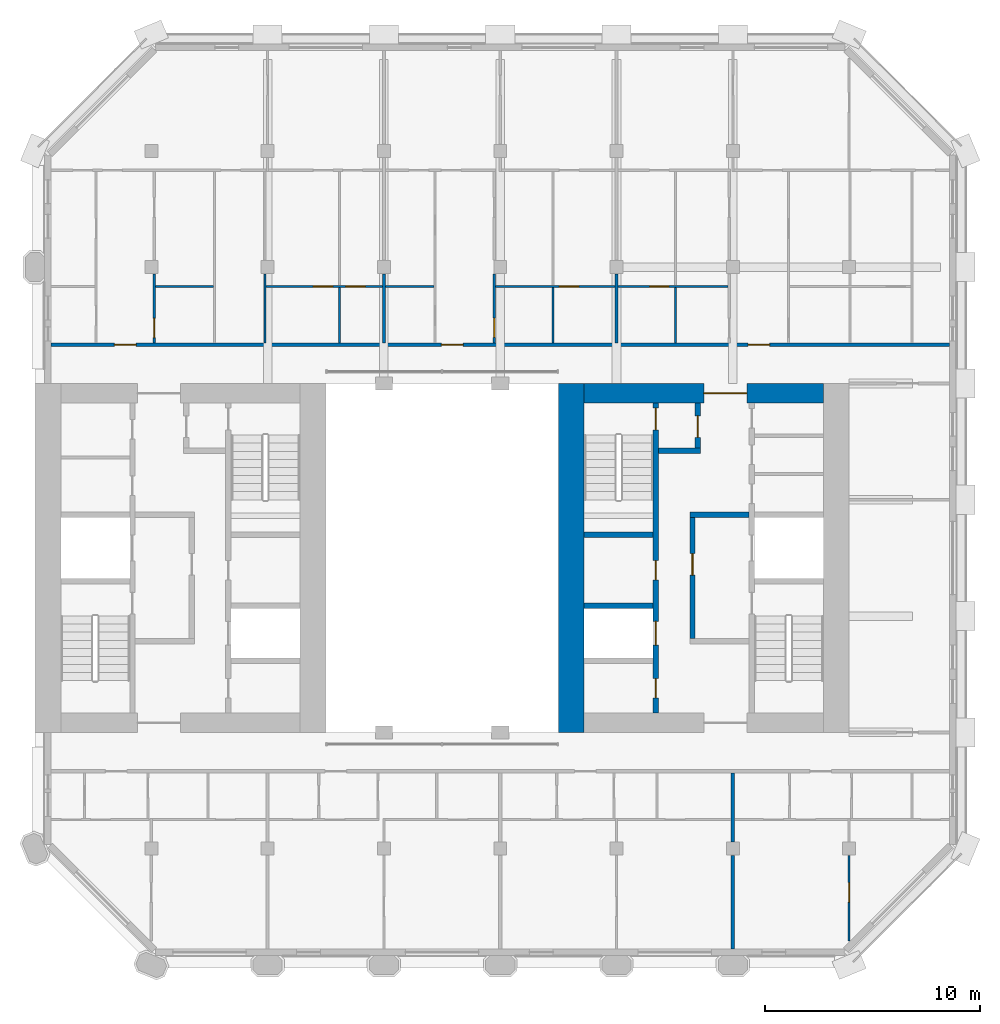
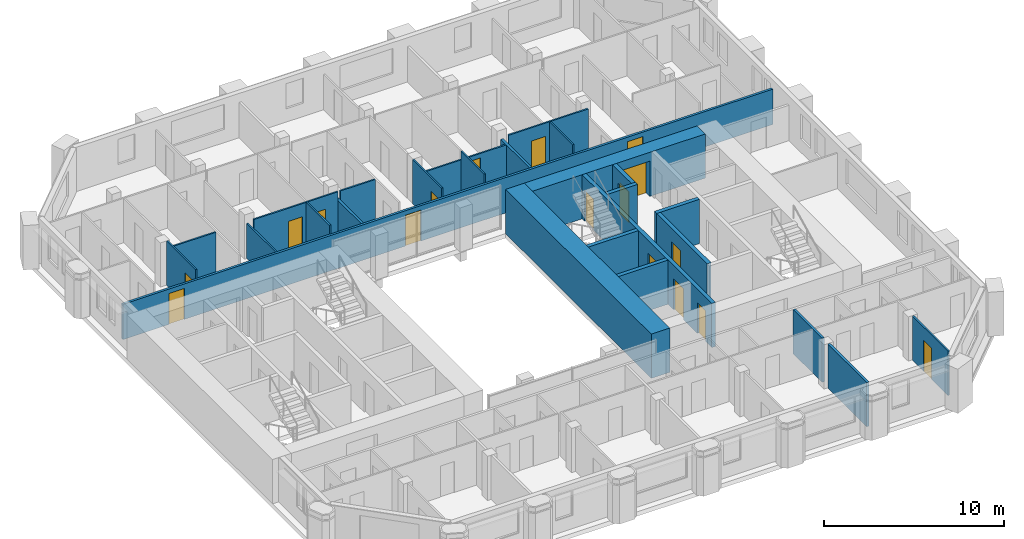
# One storey, part 6 of 13: 26 walls, 17 doors, 17 openings.
"""IFC4 building model written with IfcOpenShell, lengths in metres."""

from ifc_helpers import new_model, si_unit, direction, frame, frame_2d, origin, place, context, subcontext, project, spatial, rectangle, extrude, material, layer, layer_set, type_object, element, fill, save


model = new_model("IFC4")

# Units and contexts
model_context = context("Model", 3, precision=1e-05, world=origin(), true_north=direction((0.0, 1.0)))
body_context = subcontext(model_context, "Body", "Model", "MODEL_VIEW")
ifc_project = project(units=[si_unit("LENGTHUNIT", "METRE"), si_unit("AREAUNIT", "SQUARE_METRE"), si_unit("VOLUMEUNIT", "CUBIC_METRE"), si_unit("PLANEANGLEUNIT", "RADIAN"), si_unit("MASSUNIT", "GRAM", prefix="KILO")], contexts=[model_context])

# Site, building, storey
site_placement = place(None, origin())
site = spatial("IfcSite", under=ifc_project, at=site_placement, CompositionType="ELEMENT")
building_placement = place(site_placement, origin())
building = spatial("IfcBuilding", under=site, at=building_placement, Name="Tabaq Tower and Sports Hall", CompositionType="ELEMENT")
storey_placement = place(building_placement, frame((0.0, 0.0, 301.60009765625)))
storey = spatial("IfcBuildingStorey", under=building, at=storey_placement, Name="L75", CompositionType="ELEMENT", Elevation=301.60009765625)

# Wall
ifc_material_1 = material(Name="Concrete C40/50", Category="concrete")
ifc_layer_1 = layer(ifc_material_1, 1.199951171875)
ifc_layer_set_1 = layer_set([ifc_layer_1], Name="Core wall 1200 Concrete C40/50")
wall_type_1 = type_object("IfcWallType", Name="Core wall 1200 Concrete C40/50", PredefinedType="SOLIDWALL", material=ifc_layer_set_1)
wall_1_placement = place(storey_placement, frame((30.300048828125, 16.199951171875, 0.0), z_axis=(0.0, 0.0, 1.0), x_axis=(0.0, 1.0, 0.0)))
element("IfcWall", 1, at=wall_1_placement, inside=storey, type_object=wall_type_1, Name="Core wall E L75", PredefinedType="SOLIDWALL", context=body_context, shape_type="SweptSolid", body=[
    extrude(rectangle(XDim=16.199951171875, YDim=1.199951171875, at=frame_2d((8.10009765625, 0.0))), origin(), (0.0, 0.0, 1.0), 3.0),
])

# Wall, opening, door
ifc_material_2 = material(Name="Concrete C40/50", Category="concrete")
ifc_layer_2 = layer(ifc_material_2, 0.89990234375)
ifc_layer_set_2 = layer_set([ifc_layer_2], Name="Core wall 900 Concrete C40/50")
wall_type_2 = type_object("IfcWallType", Name="Core wall 900 Concrete C40/50", PredefinedType="SOLIDWALL", material=ifc_layer_set_2)
wall_2_placement = place(storey_placement, frame((30.89990234375, 31.949951171875, 0.0), z_axis=(0.0, 0.0, 1.0), x_axis=(1.0, 0.0, 0.0)))
wall_2 = element("IfcWall", 2, at=wall_2_placement, inside=storey, type_object=wall_type_2, Name="Core wall E L75", PredefinedType="SOLIDWALL", context=body_context, shape_type="SweptSolid", body=[
    extrude(rectangle(XDim=11.10009765625, YDim=0.89990234375, at=frame_2d((5.550048828125, 0.0))), origin(), (0.0, 0.0, 1.0), 3.0),
])
opening_1_placement = place(wall_2_placement, frame((5.550048828125, 0.0, 0.0)))
opening_1 = element("IfcOpeningElement", 3, at=opening_1_placement, cuts=wall_2, Name="Opening PD-EL75-02", PredefinedType="OPENING", context=body_context, shape_type="SweptSolid", body=[
    extrude(rectangle(XDim=2.0, YDim=2.39990234375, at=frame_2d((1.0, 1.199951171875))), frame((0.0, 0.449951171875, 0.0), z_axis=(0.0, -1.0, 0.0), x_axis=(1.0, 0.0, 0.0)), (0.0, 0.0, 1.0), 0.89990234375),
])
ifc_material_3 = material(Name="Steel fire door", Category="steel")
door_type_1 = type_object("IfcDoorType", Name="Core entrance door 2000", OperationType="DOUBLE_DOOR_SINGLE_SWING", PredefinedType="DOOR", material=ifc_material_3)
door_1_placement = place(opening_1_placement, origin())
door_1 = element("IfcDoor", 4, at=door_1_placement, inside=storey, type_object=door_type_1, Name="Core entrance north E L75", OperationType="DOUBLE_DOOR_SINGLE_SWING", OverallHeight=2.39990234375, OverallWidth=2.0, PredefinedType="DOOR", context=body_context, shape_type="SweptSolid", body=[
    extrude(rectangle(XDim=2.0, YDim=2.39990234375, at=frame_2d((1.0, 1.199951171875))), frame((0.0, 0.02490234375, 0.0), z_axis=(0.0, -1.0, 0.0), x_axis=(1.0, 0.0, 0.0)), (0.0, 0.0, 1.0), 0.050048828125),
])
fill(opening_1, door_1)

ifc_material_4 = material(Name="Gypsum board on steel studs", Category="steel")
ifc_layer_3 = layer(ifc_material_4, 0.10009765625)
ifc_layer_set_3 = layer_set([ifc_layer_3], Name="Partition 100 Gypsum board")
wall_type_3 = type_object("IfcWallType", Name="Partition 100 Gypsum board", PredefinedType="PARTITIONING", material=ifc_layer_set_3)
wall_3_placement = place(storey_placement, frame((10.93994140625, 34.27490234375, 0.0), z_axis=(0.0, 0.0, 1.0), x_axis=(0.0, 1.0, 0.0)))
wall_3 = element("IfcWall", 5, at=wall_3_placement, inside=storey, type_object=wall_type_3, Name="Partition wall L75", PredefinedType="PARTITIONING", context=body_context, shape_type="SweptSolid", body=[
    extrude(rectangle(XDim=3.205078125, YDim=0.10009765625, at=frame_2d((1.6025390625, 0.0))), origin(), (0.0, 0.0, 1.0), 3.0),
])
opening_2_placement = place(wall_3_placement, frame((0.25, 0.0, 0.0)))
opening_2 = element("IfcOpeningElement", 6, at=opening_2_placement, cuts=wall_3, Name="Opening L75-004", PredefinedType="OPENING", context=body_context, shape_type="SweptSolid", body=[
    extrude(rectangle(XDim=0.89990234375, YDim=2.10009765625, at=frame_2d((0.449951171875, 1.050048828125))), frame((0.0, 0.050048828125, 0.0), z_axis=(0.0, -1.0, 0.0), x_axis=(1.0, 0.0, 0.0)), (0.0, 0.0, 1.0), 0.10009765625),
])
ifc_material_5 = material(Name="Timber leaf in steel frame", Category="steel")
door_type_2 = type_object("IfcDoorType", Name="Internal door 900 right hand", OperationType="SINGLE_SWING_RIGHT", PredefinedType="DOOR", material=ifc_material_5)
door_2_placement = place(opening_2_placement, origin())
door_2 = element("IfcDoor", 7, at=door_2_placement, inside=storey, type_object=door_type_2, Name="Internal door L75-004", OperationType="SINGLE_SWING_RIGHT", OverallHeight=2.10009765625, OverallWidth=0.89990234375, PredefinedType="DOOR", context=body_context, shape_type="SweptSolid", body=[
    extrude(rectangle(XDim=0.89990234375, YDim=2.10009765625, at=frame_2d((0.449951171875, 1.050048828125))), frame((0.0, 0.02490234375, 0.0), z_axis=(0.0, -1.0, 0.0), x_axis=(1.0, 0.0, 0.0)), (0.0, 0.0, 1.0), 0.050048828125),
])
fill(opening_2, door_2)

# Walls
wall_4_placement = place(storey_placement, frame((10.989990234375, 36.89990234375, 0.0), z_axis=(0.0, 0.0, 1.0), x_axis=(1.0, 0.0, 0.0)))
element("IfcWall", 8, at=wall_4_placement, inside=storey, type_object=wall_type_3, Name="Partition wall L75", PredefinedType="PARTITIONING", context=body_context, shape_type="SweptSolid", body=[
    extrude(rectangle(XDim=2.699951171875, YDim=0.10009765625, at=frame_2d((1.35009765625, 0.0))), origin(), (0.0, 0.0, 1.0), 3.0),
])
wall_5_placement = place(storey_placement, frame((16.080078125, 34.27490234375, 0.0), z_axis=(0.0, 0.0, 1.0), x_axis=(0.0, 1.0, 0.0)))
element("IfcWall", 9, at=wall_5_placement, inside=storey, type_object=wall_type_3, Name="Partition wall L75", PredefinedType="PARTITIONING", context=body_context, shape_type="SweptSolid", body=[
    extrude(rectangle(XDim=3.205078125, YDim=0.10009765625, at=frame_2d((1.6025390625, 0.0))), origin(), (0.0, 0.0, 1.0), 2.39990234375),
])
wall_6_placement = place(storey_placement, frame((19.530029296875, 34.27490234375, 0.0), z_axis=(0.0, 0.0, 1.0), x_axis=(0.0, 1.0, 0.0)))
element("IfcWall", 10, at=wall_6_placement, inside=storey, type_object=wall_type_3, Name="Partition wall L75", PredefinedType="PARTITIONING", context=body_context, shape_type="SweptSolid", body=[
    extrude(rectangle(XDim=2.5751953125, YDim=0.10009765625, at=frame_2d((1.28759765625, 0.0))), origin(), (0.0, 0.0, 1.0), 3.0),
])

# Wall, openings, doors
wall_7_placement = place(storey_placement, frame((16.1298828125, 36.89990234375, 0.0), z_axis=(0.0, 0.0, 1.0), x_axis=(1.0, 0.0, 0.0)))
wall_7 = element("IfcWall", 11, at=wall_7_placement, inside=storey, type_object=wall_type_3, Name="Partition wall L75", PredefinedType="PARTITIONING", context=body_context, shape_type="SweptSolid", body=[
    extrude(rectangle(XDim=5.39501953125, YDim=0.10009765625, at=frame_2d((2.697509765625, 0.0))), origin(), (0.0, 0.0, 1.0), 3.0),
])
opening_3_placement = place(wall_7_placement, frame((2.199951171875, 0.0, 0.0)))
opening_3 = element("IfcOpeningElement", 12, at=opening_3_placement, cuts=wall_7, Name="Opening L75-005", PredefinedType="OPENING", context=body_context, shape_type="SweptSolid", body=[
    extrude(rectangle(XDim=0.89990234375, YDim=2.10009765625, at=frame_2d((0.449951171875, 1.050048828125))), frame((0.0, 0.050048828125, 0.0), z_axis=(0.0, -1.0, 0.0), x_axis=(1.0, 0.0, 0.0)), (0.0, 0.0, 1.0), 0.10009765625),
])
opening_4_placement = place(wall_7_placement, frame((3.699951171875, 0.0, 0.0)))
opening_4 = element("IfcOpeningElement", 13, at=opening_4_placement, cuts=wall_7, Name="Opening L75-006", PredefinedType="OPENING", context=body_context, shape_type="SweptSolid", body=[
    extrude(rectangle(XDim=0.89990234375, YDim=2.10009765625, at=frame_2d((0.449951171875, 1.050048828125))), frame((0.0, 0.050048828125, 0.0), z_axis=(0.0, -1.0, 0.0), x_axis=(1.0, 0.0, 0.0)), (0.0, 0.0, 1.0), 0.10009765625),
])
ifc_material_6 = material(Name="Timber leaf in steel frame", Category="steel")
door_type_3 = type_object("IfcDoorType", Name="Internal door 900 left hand", OperationType="SINGLE_SWING_LEFT", PredefinedType="DOOR", material=ifc_material_6)
door_3_placement = place(opening_3_placement, origin())
door_3 = element("IfcDoor", 14, at=door_3_placement, inside=storey, type_object=door_type_3, Name="Internal door L75-005", OperationType="SINGLE_SWING_LEFT", OverallHeight=2.10009765625, OverallWidth=0.89990234375, PredefinedType="DOOR", context=body_context, shape_type="SweptSolid", body=[
    extrude(rectangle(XDim=0.89990234375, YDim=2.10009765625, at=frame_2d((0.449951171875, 1.050048828125))), frame((0.0, 0.02490234375, 0.0), z_axis=(0.0, -1.0, 0.0), x_axis=(1.0, 0.0, 0.0)), (0.0, 0.0, 1.0), 0.050048828125),
])
fill(opening_3, door_3)
door_4_placement = place(opening_4_placement, origin())
door_4 = element("IfcDoor", 15, at=door_4_placement, inside=storey, type_object=door_type_3, Name="Internal door L75-006", OperationType="SINGLE_SWING_LEFT", OverallHeight=2.10009765625, OverallWidth=0.89990234375, PredefinedType="DOOR", context=body_context, shape_type="SweptSolid", body=[
    extrude(rectangle(XDim=0.89990234375, YDim=2.10009765625, at=frame_2d((0.449951171875, 1.050048828125))), frame((0.0, 0.02490234375, 0.0), z_axis=(0.0, -1.0, 0.0), x_axis=(1.0, 0.0, 0.0)), (0.0, 0.0, 1.0), 0.050048828125),
])
fill(opening_4, door_4)

# Wall
wall_8_placement = place(storey_placement, frame((21.675048828125, 36.89990234375, 0.0), z_axis=(0.0, 0.0, 1.0), x_axis=(1.0, 0.0, 0.0)))
element("IfcWall", 16, at=wall_8_placement, inside=storey, type_object=wall_type_3, Name="Partition wall L75", PredefinedType="PARTITIONING", context=body_context, shape_type="SweptSolid", body=[
    extrude(rectangle(XDim=2.2470703125, YDim=0.10009765625, at=frame_2d((1.12353515625, 0.0))), origin(), (0.0, 0.0, 1.0), 3.0),
])

# Wall, opening, door
wall_9_placement = place(storey_placement, frame((26.721923828125, 34.27490234375, 0.0), z_axis=(0.0, 0.0, 1.0), x_axis=(0.0, 1.0, 0.0)))
wall_9 = element("IfcWall", 17, at=wall_9_placement, inside=storey, type_object=wall_type_3, Name="Partition wall L75", PredefinedType="PARTITIONING", context=body_context, shape_type="SweptSolid", body=[
    extrude(rectangle(XDim=3.205078125, YDim=0.10009765625, at=frame_2d((1.6025390625, 0.0))), origin(), (0.0, 0.0, 1.0), 3.0),
])
opening_5_placement = place(wall_9_placement, frame((0.262451171875, 0.0, 0.0)))
opening_5 = element("IfcOpeningElement", 18, at=opening_5_placement, cuts=wall_9, Name="Opening L75-009", PredefinedType="OPENING", context=body_context, shape_type="SweptSolid", body=[
    extrude(rectangle(XDim=0.89990234375, YDim=2.10009765625, at=frame_2d((0.449951171875, 1.050048828125))), frame((0.0, 0.050048828125, 0.0), z_axis=(0.0, -1.0, 0.0), x_axis=(1.0, 0.0, 0.0)), (0.0, 0.0, 1.0), 0.10009765625),
])
door_5_placement = place(opening_5_placement, origin())
door_5 = element("IfcDoor", 19, at=door_5_placement, inside=storey, type_object=door_type_3, Name="Internal door L75-009", OperationType="SINGLE_SWING_LEFT", OverallHeight=2.10009765625, OverallWidth=0.89990234375, PredefinedType="DOOR", context=body_context, shape_type="SweptSolid", body=[
    extrude(rectangle(XDim=0.89990234375, YDim=2.10009765625, at=frame_2d((0.449951171875, 1.050048828125))), frame((0.0, 0.02490234375, 0.0), z_axis=(0.0, -1.0, 0.0), x_axis=(1.0, 0.0, 0.0)), (0.0, 0.0, 1.0), 0.050048828125),
])
fill(opening_5, door_5)

# Wall
wall_10_placement = place(storey_placement, frame((29.449951171875, 34.27490234375, 0.0), z_axis=(0.0, 0.0, 1.0), x_axis=(0.0, 1.0, 0.0)))
element("IfcWall", 20, at=wall_10_placement, inside=storey, type_object=wall_type_3, Name="Partition wall L75", PredefinedType="PARTITIONING", context=body_context, shape_type="SweptSolid", body=[
    extrude(rectangle(XDim=2.5751953125, YDim=0.10009765625, at=frame_2d((1.28759765625, 0.0))), origin(), (0.0, 0.0, 1.0), 3.0),
])

# Wall, opening, door
wall_11_placement = place(storey_placement, frame((26.77197265625, 36.89990234375, 0.0), z_axis=(0.0, 0.0, 1.0), x_axis=(1.0, 0.0, 0.0)))
wall_11 = element("IfcWall", 21, at=wall_11_placement, inside=storey, type_object=wall_type_3, Name="Partition wall L75", PredefinedType="PARTITIONING", context=body_context, shape_type="SweptSolid", body=[
    extrude(rectangle(XDim=5.552978515625, YDim=0.10009765625, at=frame_2d((2.7763671875, 0.0))), origin(), (0.0, 0.0, 1.0), 2.39990234375),
])
opening_6_placement = place(wall_11_placement, frame((2.97802734375, 0.0, 0.0)))
opening_6 = element("IfcOpeningElement", 22, at=opening_6_placement, cuts=wall_11, Name="Opening L75-010", PredefinedType="OPENING", context=body_context, shape_type="SweptSolid", body=[
    extrude(rectangle(XDim=0.89990234375, YDim=2.10009765625, at=frame_2d((0.449951171875, 1.050048828125))), frame((0.0, 0.050048828125, 0.0), z_axis=(0.0, -1.0, 0.0), x_axis=(1.0, 0.0, 0.0)), (0.0, 0.0, 1.0), 0.10009765625),
])
door_6_placement = place(opening_6_placement, origin())
door_6 = element("IfcDoor", 23, at=door_6_placement, inside=storey, type_object=door_type_3, Name="Internal door L75-010", OperationType="SINGLE_SWING_LEFT", OverallHeight=2.10009765625, OverallWidth=0.89990234375, PredefinedType="DOOR", context=body_context, shape_type="SweptSolid", body=[
    extrude(rectangle(XDim=0.89990234375, YDim=2.10009765625, at=frame_2d((0.449951171875, 1.050048828125))), frame((0.0, 0.02490234375, 0.0), z_axis=(0.0, -1.0, 0.0), x_axis=(1.0, 0.0, 0.0)), (0.0, 0.0, 1.0), 0.050048828125),
])
fill(opening_6, door_6)

# Wall
wall_12_placement = place(storey_placement, frame((35.135009765625, 34.27490234375, 0.0), z_axis=(0.0, 0.0, 1.0), x_axis=(0.0, 1.0, 0.0)))
element("IfcWall", 24, at=wall_12_placement, inside=storey, type_object=wall_type_3, Name="Partition wall L75", PredefinedType="PARTITIONING", context=body_context, shape_type="SweptSolid", body=[
    extrude(rectangle(XDim=2.5751953125, YDim=0.10009765625, at=frame_2d((1.28759765625, 0.0))), origin(), (0.0, 0.0, 1.0), 3.0),
])

# Wall, opening, door
wall_13_placement = place(storey_placement, frame((32.47509765625, 36.89990234375, 0.0), z_axis=(0.0, 0.0, 1.0), x_axis=(1.0, 0.0, 0.0)))
wall_13 = element("IfcWall", 25, at=wall_13_placement, inside=storey, type_object=wall_type_3, Name="Partition wall L75", PredefinedType="PARTITIONING", context=body_context, shape_type="SweptSolid", body=[
    extrude(rectangle(XDim=5.10986328125, YDim=0.10009765625, at=frame_2d((2.554931640625, 0.0))), origin(), (0.0, 0.0, 1.0), 3.0),
])
opening_7_placement = place(wall_13_placement, frame((1.4599609375, 0.0, 0.0)))
opening_7 = element("IfcOpeningElement", 26, at=opening_7_placement, cuts=wall_13, Name="Opening L75-012", PredefinedType="OPENING", context=body_context, shape_type="SweptSolid", body=[
    extrude(rectangle(XDim=0.89990234375, YDim=2.10009765625, at=frame_2d((0.449951171875, 1.050048828125))), frame((0.0, 0.050048828125, 0.0), z_axis=(0.0, -1.0, 0.0), x_axis=(1.0, 0.0, 0.0)), (0.0, 0.0, 1.0), 0.10009765625),
])
door_7_placement = place(opening_7_placement, origin())
door_7 = element("IfcDoor", 27, at=door_7_placement, inside=storey, type_object=door_type_3, Name="Internal door L75-012", OperationType="SINGLE_SWING_LEFT", OverallHeight=2.10009765625, OverallWidth=0.89990234375, PredefinedType="DOOR", context=body_context, shape_type="SweptSolid", body=[
    extrude(rectangle(XDim=0.89990234375, YDim=2.10009765625, at=frame_2d((0.449951171875, 1.050048828125))), frame((0.0, 0.02490234375, 0.0), z_axis=(0.0, -1.0, 0.0), x_axis=(1.0, 0.0, 0.0)), (0.0, 0.0, 1.0), 0.050048828125),
])
fill(opening_7, door_7)

wall_14_placement = place(storey_placement, frame((43.199951171875, 6.51220703125, 0.0), z_axis=(0.0, 0.0, 1.0), x_axis=(0.0, 1.0, 0.0)))
wall_14 = element("IfcWall", 28, at=wall_14_placement, inside=storey, type_object=wall_type_3, Name="Partition wall L75", PredefinedType="PARTITIONING", context=body_context, shape_type="SweptSolid", body=[
    extrude(rectangle(XDim=3.9677734375, YDim=0.10009765625, at=frame_2d((1.98388671875, 0.0))), origin(), (0.0, 0.0, 1.0), 3.0),
])
opening_8_placement = place(wall_14_placement, frame((1.81298828125, 0.0, 0.0)))
opening_8 = element("IfcOpeningElement", 29, at=opening_8_placement, cuts=wall_14, Name="Opening L75-048", PredefinedType="OPENING", context=body_context, shape_type="SweptSolid", body=[
    extrude(rectangle(XDim=0.89990234375, YDim=2.10009765625, at=frame_2d((0.449951171875, 1.050048828125))), frame((0.0, 0.050048828125, 0.0), z_axis=(0.0, -1.0, 0.0), x_axis=(1.0, 0.0, 0.0)), (0.0, 0.0, 1.0), 0.10009765625),
])
door_8_placement = place(opening_8_placement, origin())
door_8 = element("IfcDoor", 30, at=door_8_placement, inside=storey, type_object=door_type_2, Name="Internal door L75-048", OperationType="SINGLE_SWING_RIGHT", OverallHeight=2.10009765625, OverallWidth=0.89990234375, PredefinedType="DOOR", context=body_context, shape_type="SweptSolid", body=[
    extrude(rectangle(XDim=0.89990234375, YDim=2.10009765625, at=frame_2d((0.449951171875, 1.050048828125))), frame((0.0, 0.02490234375, 0.0), z_axis=(0.0, -1.0, 0.0), x_axis=(1.0, 0.0, 0.0)), (0.0, 0.0, 1.0), 0.050048828125),
])
fill(opening_8, door_8)

# Walls
ifc_material_7 = material(Name="Blockwork", Category="masonry")
ifc_layer_4 = layer(ifc_material_7, 0.14990234375)
ifc_layer_set_4 = layer_set([ifc_layer_4], Name="Separating wall 150 Blockwork")
wall_type_4 = type_object("IfcWallType", Name="Separating wall 150 Blockwork", PredefinedType="PARTITIONING", material=ifc_layer_set_4)
for number, where, z_axis, x_axis, name in (
    (31, (21.60009765625, 34.27490234375, 0.0), (0.0, 0.0, 1.0), (0.0, 1.0, 0.0), "Separating wall L75"),
    (32, (32.39990234375, 34.27490234375, 0.0), (0.0, 0.0, 1.0), (0.0, 1.0, 0.0), "Separating wall L75"),
):
    element("IfcWall", number, at=place(storey_placement, frame(where, z_axis=z_axis, x_axis=x_axis)), inside=storey, type_object=wall_type_4, Name=name, PredefinedType="PARTITIONING", context=body_context, shape_type="SweptSolid", body=[
        extrude(rectangle(XDim=3.205078125, YDim=0.14990234375, at=frame_2d((1.6025390625, 0.0))), origin(), (0.0, 0.0, 1.0), 2.39990234375),
    ])

# Wall, openings, doors
wall_15_placement = place(storey_placement, frame((6.15087890625, 34.199951171875, 0.0), z_axis=(0.0, 0.0, 1.0), x_axis=(1.0, 0.0, 0.0)))
wall_15 = element("IfcWall", 33, at=wall_15_placement, inside=storey, type_object=wall_type_4, Name="Separating wall L75", PredefinedType="PARTITIONING", context=body_context, shape_type="SweptSolid", body=[
    extrude(rectangle(XDim=41.6982421875, YDim=0.14990234375, at=frame_2d((20.84912109375, 0.0))), origin(), (0.0, 0.0, 1.0), 2.39990234375),
])
opening_9_placement = place(wall_15_placement, frame((2.93896484375, 0.0, 0.0)))
opening_9 = element("IfcOpeningElement", 34, at=opening_9_placement, cuts=wall_15, Name="Opening L75-064", PredefinedType="OPENING", context=body_context, shape_type="SweptSolid", body=[
    extrude(rectangle(XDim=1.0, YDim=2.10009765625, at=frame_2d((0.5, 1.050048828125))), frame((0.0, 0.074951171875, 0.0), z_axis=(0.0, -1.0, 0.0), x_axis=(1.0, 0.0, 0.0)), (0.0, 0.0, 1.0), 0.14990234375),
])
opening_10_placement = place(wall_15_placement, frame((18.12109375, 0.0, 0.0)))
opening_10 = element("IfcOpeningElement", 35, at=opening_10_placement, cuts=wall_15, Name="Opening L75-065", PredefinedType="OPENING", context=body_context, shape_type="SweptSolid", body=[
    extrude(rectangle(XDim=1.0, YDim=2.10009765625, at=frame_2d((0.5, 1.050048828125))), frame((0.0, 0.074951171875, 0.0), z_axis=(0.0, -1.0, 0.0), x_axis=(1.0, 0.0, 0.0)), (0.0, 0.0, 1.0), 0.14990234375),
])
opening_11_placement = place(wall_15_placement, frame((32.35888671875, 0.0, 0.0)))
opening_11 = element("IfcOpeningElement", 36, at=opening_11_placement, cuts=wall_15, Name="Opening L75-066", PredefinedType="OPENING", context=body_context, shape_type="SweptSolid", body=[
    extrude(rectangle(XDim=1.0, YDim=2.10009765625, at=frame_2d((0.5, 1.050048828125))), frame((0.0, 0.074951171875, 0.0), z_axis=(0.0, -1.0, 0.0), x_axis=(1.0, 0.0, 0.0)), (0.0, 0.0, 1.0), 0.14990234375),
])
ifc_material_8 = material(Name="Steel fire door", Category="steel")
door_type_4 = type_object("IfcDoorType", Name="Entrance door 1000 left hand", OperationType="SINGLE_SWING_LEFT", PredefinedType="DOOR", material=ifc_material_8)
door_9_placement = place(opening_9_placement, origin())
door_9 = element("IfcDoor", 37, at=door_9_placement, inside=storey, type_object=door_type_4, Name="Entrance door L75-064", OperationType="SINGLE_SWING_LEFT", OverallHeight=2.10009765625, OverallWidth=1.0, PredefinedType="DOOR", context=body_context, shape_type="SweptSolid", body=[
    extrude(rectangle(XDim=1.0, YDim=2.10009765625, at=frame_2d((0.5, 1.050048828125))), frame((0.0, 0.02490234375, 0.0), z_axis=(0.0, -1.0, 0.0), x_axis=(1.0, 0.0, 0.0)), (0.0, 0.0, 1.0), 0.050048828125),
])
fill(opening_9, door_9)
door_10_placement = place(opening_10_placement, origin())
door_10 = element("IfcDoor", 38, at=door_10_placement, inside=storey, type_object=door_type_4, Name="Entrance door L75-065", OperationType="SINGLE_SWING_LEFT", OverallHeight=2.10009765625, OverallWidth=1.0, PredefinedType="DOOR", context=body_context, shape_type="SweptSolid", body=[
    extrude(rectangle(XDim=1.0, YDim=2.10009765625, at=frame_2d((0.5, 1.050048828125))), frame((0.0, 0.02490234375, 0.0), z_axis=(0.0, -1.0, 0.0), x_axis=(1.0, 0.0, 0.0)), (0.0, 0.0, 1.0), 0.050048828125),
])
fill(opening_10, door_10)
door_11_placement = place(opening_11_placement, origin())
door_11 = element("IfcDoor", 39, at=door_11_placement, inside=storey, type_object=door_type_4, Name="Entrance door L75-066", OperationType="SINGLE_SWING_LEFT", OverallHeight=2.10009765625, OverallWidth=1.0, PredefinedType="DOOR", context=body_context, shape_type="SweptSolid", body=[
    extrude(rectangle(XDim=1.0, YDim=2.10009765625, at=frame_2d((0.5, 1.050048828125))), frame((0.0, 0.02490234375, 0.0), z_axis=(0.0, -1.0, 0.0), x_axis=(1.0, 0.0, 0.0)), (0.0, 0.0, 1.0), 0.050048828125),
])
fill(opening_11, door_11)

# Walls
wall_16_placement = place(storey_placement, frame((37.800048828125, 6.15087890625, 0.0), z_axis=(0.0, 0.0, 1.0), x_axis=(0.0, 1.0, 0.0)))
element("IfcWall", 40, at=wall_16_placement, inside=storey, type_object=wall_type_4, Name="Separating wall L75", PredefinedType="PARTITIONING", context=body_context, shape_type="SweptSolid", body=[
    extrude(rectangle(XDim=4.3291015625, YDim=0.14990234375, at=frame_2d((2.16455078125, 0.0))), origin(), (0.0, 0.0, 1.0), 3.0),
])
wall_17_placement = place(storey_placement, frame((37.800048828125, 11.1201171875, 0.0), z_axis=(0.0, 0.0, 1.0), x_axis=(0.0, 1.0, 0.0)))
element("IfcWall", 41, at=wall_17_placement, inside=storey, type_object=wall_type_4, Name="Separating wall L75", PredefinedType="PARTITIONING", context=body_context, shape_type="SweptSolid", body=[
    extrude(rectangle(XDim=3.204833984375, YDim=0.14990234375, at=frame_2d((1.6025390625, 0.0))), origin(), (0.0, 0.0, 1.0), 3.0),
])

# Wall, openings, doors
ifc_material_9 = material(Name="Concrete C40/50", Category="concrete")
ifc_layer_5 = layer(ifc_material_9, 0.25)
ifc_layer_set_5 = layer_set([ifc_layer_5], Name="Shaft and stair wall 250 Concrete C40/50")
wall_type_5 = type_object("IfcWallType", Name="Shaft and stair wall 250 Concrete C40/50", PredefinedType="SOLIDWALL", material=ifc_layer_set_5)
wall_18_placement = place(storey_placement, frame((34.22509765625, 17.10009765625, 0.0), z_axis=(0.0, 0.0, 1.0), x_axis=(0.0, 1.0, 0.0)))
wall_18 = element("IfcWall", 42, at=wall_18_placement, inside=storey, type_object=wall_type_5, Name="Shaft wall E L75", PredefinedType="SOLIDWALL", context=body_context, shape_type="SweptSolid", body=[
    extrude(rectangle(XDim=14.39990234375, YDim=0.25, at=frame_2d((7.199951171875, 0.0))), origin(), (0.0, 0.0, 1.0), 3.0),
])
opening_12_placement = place(wall_18_placement, frame((13.14990234375, 0.0, 0.0)))
opening_12 = element("IfcOpeningElement", 43, at=opening_12_placement, cuts=wall_18, Name="Opening SD-EL75-05", PredefinedType="OPENING", context=body_context, shape_type="SweptSolid", body=[
    extrude(rectangle(XDim=1.0, YDim=2.10009765625, at=frame_2d((0.5, 1.050048828125))), frame((0.0, 0.125, 0.0), z_axis=(0.0, -1.0, 0.0), x_axis=(1.0, 0.0, 0.0)), (0.0, 0.0, 1.0), 0.25),
])
opening_13_placement = place(wall_18_placement, frame((3.14990234375, 0.0, 0.0)))
opening_13 = element("IfcOpeningElement", 44, at=opening_13_placement, cuts=wall_18, Name="Opening LD-HR2-L75", PredefinedType="OPENING", context=body_context, shape_type="SweptSolid", body=[
    extrude(rectangle(XDim=1.10009765625, YDim=2.10009765625, at=frame_2d((0.550048828125, 1.050048828125))), frame((0.0, 0.125, 0.0), z_axis=(0.0, -1.0, 0.0), x_axis=(1.0, 0.0, 0.0)), (0.0, 0.0, 1.0), 0.25),
])
opening_14_placement = place(wall_18_placement, frame((0.699951171875, 0.0, 0.0)))
opening_14 = element("IfcOpeningElement", 45, at=opening_14_placement, cuts=wall_18, Name="Opening RD-EL75-12", PredefinedType="OPENING", context=body_context, shape_type="SweptSolid", body=[
    extrude(rectangle(XDim=0.89990234375, YDim=2.10009765625, at=frame_2d((0.449951171875, 1.050048828125))), frame((0.0, 0.125, 0.0), z_axis=(0.0, -1.0, 0.0), x_axis=(1.0, 0.0, 0.0)), (0.0, 0.0, 1.0), 0.25),
])
opening_15_placement = place(wall_18_placement, frame((6.175048828125, 0.0, 0.0)))
opening_15 = element("IfcOpeningElement", 46, at=opening_15_placement, cuts=wall_18, Name="Opening RD-EL75-13", PredefinedType="OPENING", context=body_context, shape_type="SweptSolid", body=[
    extrude(rectangle(XDim=0.89990234375, YDim=2.10009765625, at=frame_2d((0.449951171875, 1.050048828125))), frame((0.0, 0.125, 0.0), z_axis=(0.0, -1.0, 0.0), x_axis=(1.0, 0.0, 0.0)), (0.0, 0.0, 1.0), 0.25),
])
ifc_material_10 = material(Name="Steel fire door", Category="steel")
door_type_5 = type_object("IfcDoorType", Name="Core room door 900", OperationType="SINGLE_SWING_LEFT", PredefinedType="DOOR", material=ifc_material_10)
door_12_placement = place(opening_14_placement, origin())
door_12 = element("IfcDoor", 47, at=door_12_placement, inside=storey, type_object=door_type_5, Name="Door Electrical Riser Room E L75", OperationType="SINGLE_SWING_LEFT", OverallHeight=2.10009765625, OverallWidth=0.89990234375, PredefinedType="DOOR", context=body_context, shape_type="SweptSolid", body=[
    extrude(rectangle(XDim=0.89990234375, YDim=2.10009765625, at=frame_2d((0.449951171875, 1.050048828125))), frame((0.0, 0.02490234375, 0.0), z_axis=(0.0, -1.0, 0.0), x_axis=(1.0, 0.0, 0.0)), (0.0, 0.0, 1.0), 0.050048828125),
])
fill(opening_14, door_12)
door_13_placement = place(opening_15_placement, origin())
door_13 = element("IfcDoor", 48, at=door_13_placement, inside=storey, type_object=door_type_5, Name="Door Riser Room E L75", OperationType="SINGLE_SWING_LEFT", OverallHeight=2.10009765625, OverallWidth=0.89990234375, PredefinedType="DOOR", context=body_context, shape_type="SweptSolid", body=[
    extrude(rectangle(XDim=0.89990234375, YDim=2.10009765625, at=frame_2d((0.449951171875, 1.050048828125))), frame((0.0, 0.02490234375, 0.0), z_axis=(0.0, -1.0, 0.0), x_axis=(1.0, 0.0, 0.0)), (0.0, 0.0, 1.0), 0.050048828125),
])
fill(opening_15, door_13)
ifc_material_11 = material(Name="Stainless steel", Category="steel")
door_type_6 = type_object("IfcDoorType", Name="Lift landing door 1100", OperationType="DOUBLE_DOOR_SLIDING", PredefinedType="DOOR", material=ifc_material_11)
door_14_placement = place(opening_13_placement, origin())
door_14 = element("IfcDoor", 49, at=door_14_placement, inside=storey, type_object=door_type_6, Name="Lift landing door HR2 E L75", OperationType="DOUBLE_DOOR_SLIDING", OverallHeight=2.10009765625, OverallWidth=1.10009765625, PredefinedType="DOOR", context=body_context, shape_type="SweptSolid", body=[
    extrude(rectangle(XDim=1.10009765625, YDim=2.10009765625, at=frame_2d((0.550048828125, 1.050048828125))), frame((0.0, 0.02490234375, 0.0), z_axis=(0.0, -1.0, 0.0), x_axis=(1.0, 0.0, 0.0)), (0.0, 0.0, 1.0), 0.050048828125),
])
fill(opening_13, door_14)
ifc_material_12 = material(Name="Steel fire door", Category="steel")
door_type_7 = type_object("IfcDoorType", Name="Stair door 1000", OperationType="SINGLE_SWING_LEFT", PredefinedType="DOOR", material=ifc_material_12)
door_15_placement = place(opening_12_placement, origin())
door_15 = element("IfcDoor", 50, at=door_15_placement, inside=storey, type_object=door_type_7, Name="Stair door ST4 E L75", OperationType="SINGLE_SWING_LEFT", OverallHeight=2.10009765625, OverallWidth=1.0, PredefinedType="DOOR", context=body_context, shape_type="SweptSolid", body=[
    extrude(rectangle(XDim=1.0, YDim=2.10009765625, at=frame_2d((0.5, 1.050048828125))), frame((0.0, 0.02490234375, 0.0), z_axis=(0.0, -1.0, 0.0), x_axis=(1.0, 0.0, 0.0)), (0.0, 0.0, 1.0), 0.050048828125),
])
fill(opening_12, door_15)

# Walls
for number, where, z_axis, x_axis, name in (
    (51, (30.89990234375, 25.375, 0.0), (0.0, 0.0, 1.0), (1.0, 0.0, 0.0), "Stair enclosure wall E L75"),
    (52, (30.89990234375, 22.074951171875, 0.0), (0.0, 0.0, 1.0), (1.0, 0.0, 0.0), "Shaft wall E L75"),
):
    element("IfcWall", number, at=place(storey_placement, frame(where, z_axis=z_axis, x_axis=x_axis)), inside=storey, type_object=wall_type_5, Name=name, PredefinedType="SOLIDWALL", context=body_context, shape_type="SweptSolid", body=[
        extrude(rectangle(XDim=3.2001953125, YDim=0.25, at=frame_2d((1.60009765625, 0.0))), origin(), (0.0, 0.0, 1.0), 3.0),
    ])
wall_19_placement = place(storey_placement, frame((35.800048828125, 26.300048828125, 0.0), z_axis=(0.0, 0.0, 1.0), x_axis=(1.0, 0.0, 0.0)))
element("IfcWall", 53, at=wall_19_placement, inside=storey, type_object=wall_type_5, Name="Fire-fighting lobby wall E L75", PredefinedType="SOLIDWALL", context=body_context, shape_type="SweptSolid", body=[
    extrude(rectangle(XDim=2.75, YDim=0.25, at=frame_2d((1.375, 0.0))), origin(), (0.0, 0.0, 1.0), 3.0),
])

# Wall, opening, door
wall_20_placement = place(storey_placement, frame((36.175048828125, 29.39990234375, 0.0), z_axis=(0.0, 0.0, 1.0), x_axis=(0.0, 1.0, 0.0)))
wall_20 = element("IfcWall", 54, at=wall_20_placement, inside=storey, type_object=wall_type_5, Name="Fire-fighting lobby wall E L75", PredefinedType="SOLIDWALL", context=body_context, shape_type="SweptSolid", body=[
    extrude(rectangle(XDim=2.10009765625, YDim=0.25, at=frame_2d((1.050048828125, 0.0))), origin(), (0.0, 0.0, 1.0), 3.0),
])
opening_16_placement = place(wall_20_placement, frame((0.5, 0.0, 0.0)))
opening_16 = element("IfcOpeningElement", 55, at=opening_16_placement, cuts=wall_20, Name="Opening FD-EL75-06", PredefinedType="OPENING", context=body_context, shape_type="SweptSolid", body=[
    extrude(rectangle(XDim=1.0, YDim=2.10009765625, at=frame_2d((0.5, 1.050048828125))), frame((0.0, 0.125, 0.0), z_axis=(0.0, -1.0, 0.0), x_axis=(1.0, 0.0, 0.0)), (0.0, 0.0, 1.0), 0.25),
])
ifc_material_13 = material(Name="Steel fire door", Category="steel")
door_type_8 = type_object("IfcDoorType", Name="Fire-fighting lobby door 1000", OperationType="SINGLE_SWING_LEFT", PredefinedType="DOOR", material=ifc_material_13)
door_16_placement = place(opening_16_placement, origin())
door_16 = element("IfcDoor", 56, at=door_16_placement, inside=storey, type_object=door_type_8, Name="Stair lobby door E L75", OperationType="SINGLE_SWING_LEFT", OverallHeight=2.10009765625, OverallWidth=1.0, PredefinedType="DOOR", context=body_context, shape_type="SweptSolid", body=[
    extrude(rectangle(XDim=1.0, YDim=2.10009765625, at=frame_2d((0.5, 1.050048828125))), frame((0.0, 0.02490234375, 0.0), z_axis=(0.0, -1.0, 0.0), x_axis=(1.0, 0.0, 0.0)), (0.0, 0.0, 1.0), 0.050048828125),
])
fill(opening_16, door_16)

# Wall
wall_21_placement = place(storey_placement, frame((34.35009765625, 29.27490234375, 0.0), z_axis=(0.0, 0.0, 1.0), x_axis=(1.0, 0.0, 0.0)))
element("IfcWall", 57, at=wall_21_placement, inside=storey, type_object=wall_type_5, Name="Fire-fighting lobby wall E L75", PredefinedType="SOLIDWALL", context=body_context, shape_type="SweptSolid", body=[
    extrude(rectangle(XDim=1.949951171875, YDim=0.25, at=frame_2d((0.97509765625, 0.0))), origin(), (0.0, 0.0, 1.0), 3.0),
])

# Wall, opening, door
wall_22_placement = place(storey_placement, frame((35.925048828125, 20.550048828125, 0.0), z_axis=(0.0, 0.0, 1.0), x_axis=(0.0, 1.0, 0.0)))
wall_22 = element("IfcWall", 58, at=wall_22_placement, inside=storey, type_object=wall_type_5, Name="Fire-fighting lobby wall E L75", PredefinedType="SOLIDWALL", context=body_context, shape_type="SweptSolid", body=[
    extrude(rectangle(XDim=5.625, YDim=0.25, at=frame_2d((2.8125, 0.0))), origin(), (0.0, 0.0, 1.0), 3.0),
])
opening_17_placement = place(wall_22_placement, frame((2.949951171875, 0.0, 0.0)))
opening_17 = element("IfcOpeningElement", 59, at=opening_17_placement, cuts=wall_22, Name="Opening FD-EL75-04", PredefinedType="OPENING", context=body_context, shape_type="SweptSolid", body=[
    extrude(rectangle(XDim=1.0, YDim=2.10009765625, at=frame_2d((0.5, 1.050048828125))), frame((0.0, 0.125, 0.0), z_axis=(0.0, -1.0, 0.0), x_axis=(1.0, 0.0, 0.0)), (0.0, 0.0, 1.0), 0.25),
])
door_17_placement = place(opening_17_placement, origin())
door_17 = element("IfcDoor", 60, at=door_17_placement, inside=storey, type_object=door_type_8, Name="Fire-fighting lobby door E L75", OperationType="SINGLE_SWING_LEFT", OverallHeight=2.10009765625, OverallWidth=1.0, PredefinedType="DOOR", context=body_context, shape_type="SweptSolid", body=[
    extrude(rectangle(XDim=1.0, YDim=2.10009765625, at=frame_2d((0.5, 1.050048828125))), frame((0.0, 0.02490234375, 0.0), z_axis=(0.0, -1.0, 0.0), x_axis=(1.0, 0.0, 0.0)), (0.0, 0.0, 1.0), 0.050048828125),
])
fill(opening_17, door_17)

save(model, "model.ifc")
